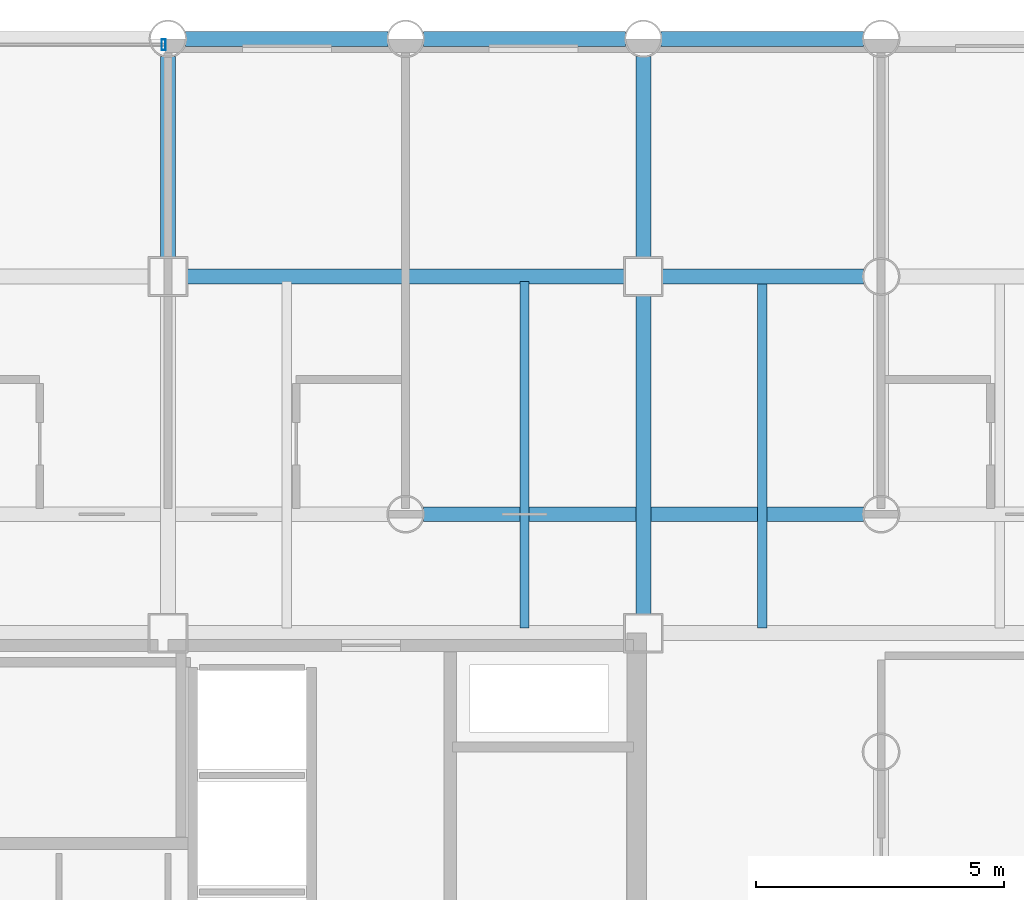
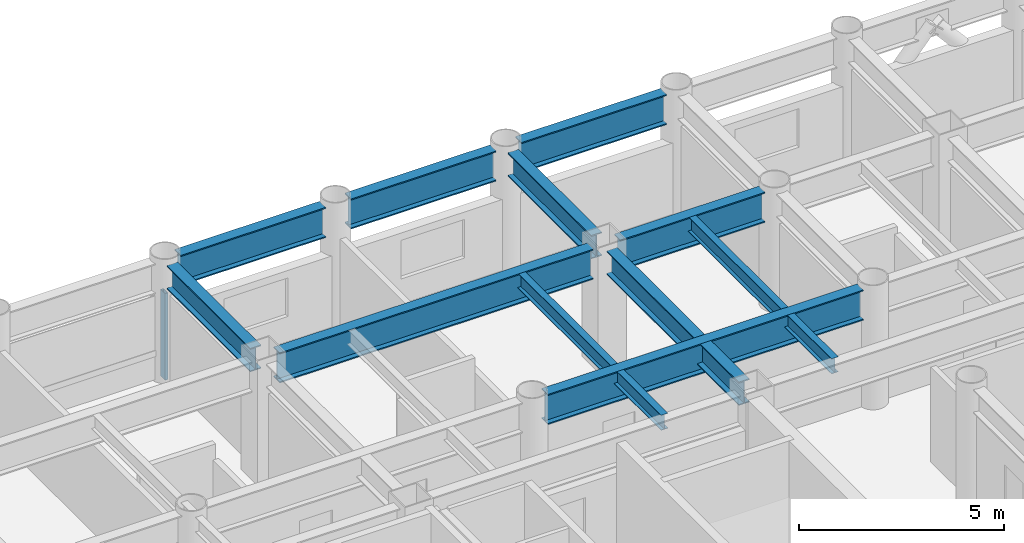
# One storey, part 12 of 19: 11 beams, 1 member, 1 element without a shape of its own.
"""IFC4 building model written with IfcOpenShell, lengths in metres."""

from ifc_helpers import new_model, si_unit, direction, frame, origin, origin_2d, place, context, subcontext, project, spatial, hollow_rectangle, i_section, extrude, material, layer, layer_set, material_profile, profile_set, type_object, element, aggregate, save


model = new_model("IFC4")

# Units and contexts
model_context = context("Model", 3, precision=1e-05, world=origin(), true_north=direction((0.0, 1.0)))
body_context = subcontext(model_context, "Body", "Model", "MODEL_VIEW")
ifc_project = project(units=[si_unit("LENGTHUNIT", "METRE"), si_unit("AREAUNIT", "SQUARE_METRE"), si_unit("VOLUMEUNIT", "CUBIC_METRE"), si_unit("PLANEANGLEUNIT", "RADIAN"), si_unit("MASSUNIT", "GRAM", prefix="KILO")], contexts=[model_context])

# Site, building, storey
site_placement = place(None, origin())
site = spatial("IfcSite", under=ifc_project, at=site_placement, CompositionType="ELEMENT")
building_placement = place(site_placement, origin())
building = spatial("IfcBuilding", under=site, at=building_placement, Name="Kallvorn Hotel Tower", CompositionType="ELEMENT")
storey_placement = place(building_placement, frame((0.0, 0.0, 63.300048828125)))
storey = spatial("IfcBuildingStorey", under=building, at=storey_placement, Name="L14", CompositionType="ELEMENT", Elevation=63.300048828125)

# Beams
ifc_material_1 = material(Name="Structural steel S355JR", Category="steel")
ifc_material_profile_1 = material_profile(ifc_material_1, i_section(OverallWidth=0.300048828125, OverallDepth=0.699951171875, WebThickness=0.01708984375, FlangeThickness=0.031982421875, at=origin_2d()), Name="HE 700 B")
ifc_profile_set_1 = profile_set([ifc_material_profile_1], Name="Structural steel S355JR")
beam_type_1 = type_object("IfcBeamType", Name="BM_HE700B", PredefinedType="BEAM", material=ifc_profile_set_1)
beam_1_placement = place(storey_placement, frame((4.800048828125, 14.77490234375, 3.169921875), z_axis=(0.0, 1.0, 0.0), x_axis=(-1.0, 0.0, 0.0)))
element("IfcBeam", 1, at=beam_1_placement, inside=storey, type_object=beam_type_1, Name="L15 Primary Y-Girder 117", PredefinedType="BEAM", context=body_context, shape_type="SweptSolid", body=[
    extrude(i_section(OverallWidth=0.300048828125, OverallDepth=0.699951171875, WebThickness=0.01708984375, FlangeThickness=0.031982421875, at=origin_2d()), origin(), (0.0, 0.0, 1.0), 4.069091796875),
])
beam_2_placement = place(storey_placement, frame((14.39990234375, 7.574951171875, 3.169921875), z_axis=(0.0, 1.0, 0.0), x_axis=(-1.0, 0.0, 0.0)))
element("IfcBeam", 2, at=beam_2_placement, inside=storey, type_object=beam_type_1, Name="L15 Primary Y-Girder 124", PredefinedType="BEAM", context=body_context, shape_type="SweptSolid", body=[
    extrude(i_section(OverallWidth=0.300048828125, OverallDepth=0.699951171875, WebThickness=0.01708984375, FlangeThickness=0.031982421875, at=origin_2d()), origin(), (0.0, 0.0, 1.0), 6.449951171875),
])
beam_3_placement = place(storey_placement, frame((14.39990234375, 14.77490234375, 3.169921875), z_axis=(0.0, 1.0, 0.0), x_axis=(-1.0, 0.0, 0.0)))
element("IfcBeam", 3, at=beam_3_placement, inside=storey, type_object=beam_type_1, Name="L15 Primary Y-Girder 125", PredefinedType="BEAM", context=body_context, shape_type="SweptSolid", body=[
    extrude(i_section(OverallWidth=0.300048828125, OverallDepth=0.699951171875, WebThickness=0.01708984375, FlangeThickness=0.031982421875, at=origin_2d()), origin(), (0.0, 0.0, 1.0), 4.069091796875),
])
ifc_material_2 = material(Name="Structural steel S355JR", Category="steel")
ifc_material_profile_2 = material_profile(ifc_material_2, i_section(OverallWidth=0.300048828125, OverallDepth=0.89990234375, WebThickness=0.0185546875, FlangeThickness=0.034912109375, at=origin_2d()), Name="HE 900 B")
ifc_profile_set_2 = profile_set([ifc_material_profile_2], Name="Structural steel S355JR")
beam_type_2 = type_object("IfcBeamType", Name="BM_HE900B", PredefinedType="BEAM", material=ifc_profile_set_2)
beam_4_placement = place(storey_placement, frame((9.9560546875, 9.60009765625, 3.070068359375), z_axis=(1.0, 0.0, 0.0), x_axis=(0.0, 1.0, 0.0)))
element("IfcBeam", 4, at=beam_4_placement, inside=storey, type_object=beam_type_2, Name="L15 Primary X-Girder 47", PredefinedType="BEAM", context=body_context, shape_type="SweptSolid", body=[
    extrude(i_section(OverallWidth=0.300048828125, OverallDepth=0.89990234375, WebThickness=0.0185546875, FlangeThickness=0.034912109375, at=origin_2d()), origin(), (0.0, 0.0, 1.0), 8.887939453125),
])
beam_5_placement = place(storey_placement, frame((5.175048828125, 14.39990234375, 3.070068359375), z_axis=(1.0, 0.0, 0.0), x_axis=(0.0, 1.0, 0.0)))
element("IfcBeam", 5, at=beam_5_placement, inside=storey, type_object=beam_type_2, Name="L15 Primary X-Girder 56", PredefinedType="BEAM", context=body_context, shape_type="SweptSolid", body=[
    extrude(i_section(OverallWidth=0.300048828125, OverallDepth=0.89990234375, WebThickness=0.0185546875, FlangeThickness=0.034912109375, at=origin_2d()), origin(), (0.0, 0.0, 1.0), 8.849853515625),
])
beam_6_placement = place(storey_placement, frame((14.77490234375, 14.39990234375, 3.070068359375), z_axis=(1.0, 0.0, 0.0), x_axis=(0.0, 1.0, 0.0)))
element("IfcBeam", 6, at=beam_6_placement, inside=storey, type_object=beam_type_2, Name="L15 Primary X-Girder 57", PredefinedType="BEAM", context=body_context, shape_type="SweptSolid", body=[
    extrude(i_section(OverallWidth=0.300048828125, OverallDepth=0.89990234375, WebThickness=0.0185546875, FlangeThickness=0.034912109375, at=origin_2d()), origin(), (0.0, 0.0, 1.0), 4.069091796875),
])
for number, where, z_axis, x_axis, name in (
    (7, (5.156005859375, 19.199951171875, 3.070068359375), (1.0, 0.0, 0.0), (0.0, 1.0, 0.0), "L15 Primary X-Girder 68"),
    (8, (9.9560546875, 19.199951171875, 3.070068359375), (1.0, 0.0, 0.0), (0.0, 1.0, 0.0), "L15 Primary X-Girder 69"),
    (9, (14.756103515625, 19.199951171875, 3.070068359375), (1.0, 0.0, 0.0), (0.0, 1.0, 0.0), "L15 Primary X-Girder 70"),
):
    element("IfcBeam", number, at=place(storey_placement, frame(where, z_axis=z_axis, x_axis=x_axis)), inside=storey, type_object=beam_type_2, Name=name, PredefinedType="BEAM", context=body_context, shape_type="SweptSolid", body=[
        extrude(i_section(OverallWidth=0.300048828125, OverallDepth=0.89990234375, WebThickness=0.0185546875, FlangeThickness=0.034912109375, at=origin_2d()), origin(), (0.0, 0.0, 1.0), 4.087890625),
    ])
ifc_material_3 = material(Name="Structural steel S355JR", Category="steel")
ifc_material_profile_3 = material_profile(ifc_material_3, i_section(OverallWidth=0.18994140625, OverallDepth=0.449951171875, WebThickness=0.009521484375, FlangeThickness=0.0146484375, at=origin_2d()), Name="IPE 450")
ifc_profile_set_3 = profile_set([ifc_material_profile_3], Name="Structural steel S355JR")
beam_type_3 = type_object("IfcBeamType", Name="BM_IPE450", PredefinedType="JOIST", material=ifc_profile_set_3)
for number, where, z_axis, x_axis, name in (
    (10, (12.0, 7.300048828125, 3.294921875), (0.0, 1.0, 0.0), (-1.0, 0.0, 0.0), "L15 Secondary Composite Joist 205"),
    (11, (16.800048828125, 7.300048828125, 3.294921875), (0.0, 1.0, 0.0), (-1.0, 0.0, 0.0), "L15 Secondary Composite Joist 207"),
):
    element("IfcBeam", number, at=place(storey_placement, frame(where, z_axis=z_axis, x_axis=x_axis)), inside=storey, type_object=beam_type_3, Name=name, PredefinedType="JOIST", context=body_context, shape_type="SweptSolid", body=[
        extrude(i_section(OverallWidth=0.18994140625, OverallDepth=0.449951171875, WebThickness=0.009521484375, FlangeThickness=0.0146484375, at=origin_2d()), origin(), (0.0, 0.0, 1.0), 7.0),
    ])

# Curtain wall, member
ifc_material_4 = material(Name="Thermally broken black-anodised aluminium AA 6063-T6", Category="aluminium")
ifc_layer = layer(ifc_material_4, 0.199951171875)
ifc_layer_set = layer_set([ifc_layer], Name="CW_SYS_3_HOTEL_LOW")
curtain_wall_type = type_object("IfcCurtainWallType", Name="CW_SYS_3_HOTEL_LOW", PredefinedType="USERDEFINED", material=ifc_layer_set)
curtain_wall_placement = place(storey_placement, origin())
curtain_wall = element("IfcCurtainWall", 12, at=curtain_wall_placement, inside=storey, type_object=curtain_wall_type, Name="L14 Dark-Glass Curtain Wall CW-L14-NC", ObjectType="UNITISED CURTAIN WALL", PredefinedType="USERDEFINED")
ifc_material_5 = material(Name="Thermally broken black-anodised aluminium AA 6063-T6", Category="aluminium")
ifc_material_profile_4 = material_profile(ifc_material_5, hollow_rectangle(XDim=0.080078125, YDim=0.219970703125, WallThickness=0.0048828125, at=origin_2d()), Name="MUL 220x80")
ifc_profile_set_4 = profile_set([ifc_material_profile_4], Name="Thermally broken black-anodised aluminium AA 6063-T6")
member_type = type_object("IfcMemberType", Name="CW_MULLION_220x80", PredefinedType="MULLION", material=ifc_profile_set_4)
member_placement = place(storey_placement, frame((4.7099609375, 19.080078125, 0.02001953125), z_axis=(0.0, 0.0, 1.0), x_axis=(1.0, 0.0, 0.0)))
member = element("IfcMember", 13, at=member_placement, type_object=member_type, Name="CW-L14-NC Mullion 02", PredefinedType="MULLION", context=body_context, shape_type="SweptSolid", body=[
    extrude(hollow_rectangle(XDim=0.080078125, YDim=0.219970703125, WallThickness=0.0048828125, at=origin_2d()), origin(), (0.0, 0.0, 1.0), 2.579833984375),
])
aggregate(curtain_wall, [member])

save(model, "model.ifc")
